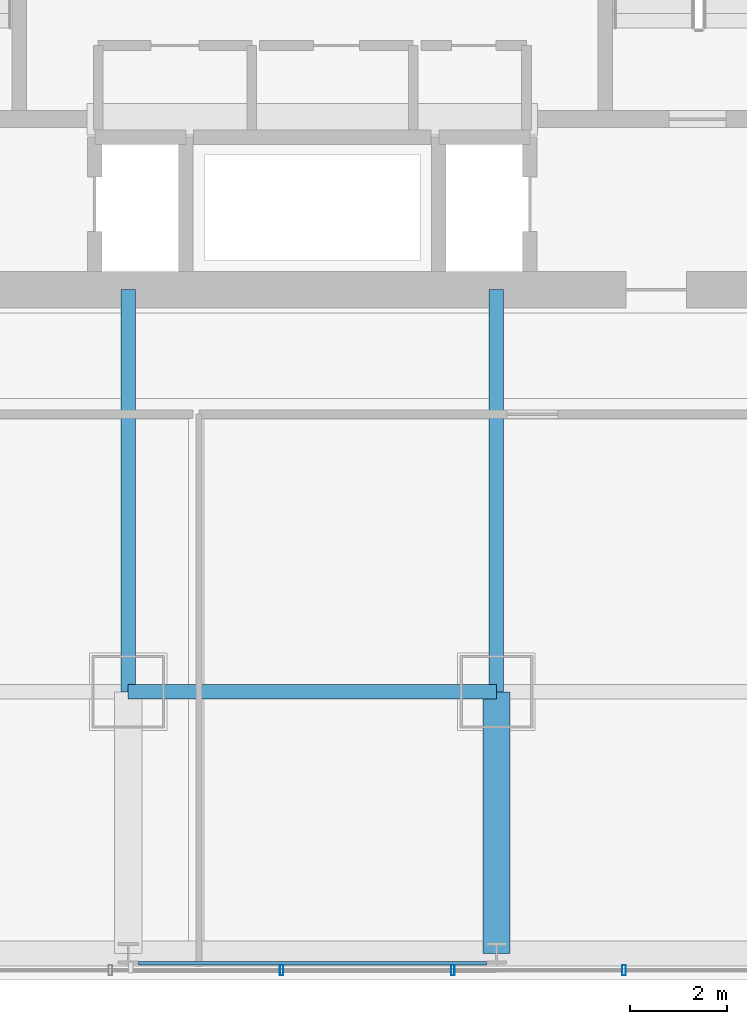
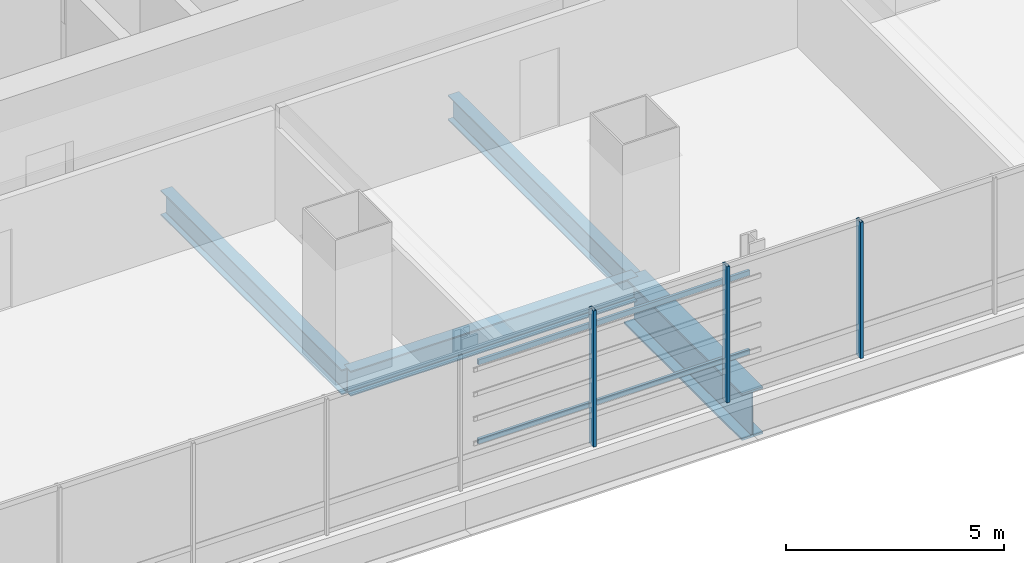
# One storey, part 8 of 36: 5 members, 4 beams, 1 element without a shape of its own.
"""IFC4 building model written with IfcOpenShell, lengths in metres."""

from ifc_helpers import new_model, si_unit, direction, frame, origin, origin_2d, place, context, subcontext, project, spatial, hollow_rectangle, i_section, extrude, material, material_profile, profile_set, type_object, element, aggregate, save


model = new_model("IFC4")

# Units and contexts
model_context = context("Model", 3, precision=1e-05, world=origin(), true_north=direction((0.0, 1.0)))
body_context = subcontext(model_context, "Body", "Model", "MODEL_VIEW")
ifc_project = project(units=[si_unit("LENGTHUNIT", "METRE"), si_unit("AREAUNIT", "SQUARE_METRE"), si_unit("VOLUMEUNIT", "CUBIC_METRE"), si_unit("PLANEANGLEUNIT", "RADIAN"), si_unit("MASSUNIT", "GRAM", prefix="KILO")], contexts=[model_context])

# Site, building, storey
site_placement = place(None, origin())
site = spatial("IfcSite", under=ifc_project, at=site_placement, CompositionType="ELEMENT")
building_placement = place(site_placement, origin())
building = spatial("IfcBuilding", under=site, at=building_placement, Name="Punatoya Terracotta Tower", CompositionType="ELEMENT")
storey_placement = place(building_placement, frame((0.0, 0.0, 36.300048828125)))
storey = spatial("IfcBuildingStorey", under=building, at=storey_placement, Name="L07", CompositionType="ELEMENT", Elevation=36.300048828125)

# Beams
ifc_material_1 = material(Name="Steel S355", Category="steel")
ifc_material_profile_1 = material_profile(ifc_material_1, i_section(OverallWidth=0.300048828125, OverallDepth=0.699951171875, WebThickness=0.01708984375, FlangeThickness=0.031982421875, FilletRadius=0.01806640625, at=origin_2d()))
ifc_profile_set_1 = profile_set([ifc_material_profile_1], Name="Steel S355")
beam_type_1 = type_object("IfcBeamType", Name="BM-PRI-700", PredefinedType="BEAM", material=ifc_profile_set_1)
beam_1_placement = place(storey_placement, frame((-3.800048828125, -17.5, -0.590087890625), z_axis=(1.0, 0.0, 0.0), x_axis=(0.0, 1.0, 0.0)))
element("IfcBeam", 1, at=beam_1_placement, inside=storey, type_object=beam_type_1, Name="BM-L07-RG-S2", PredefinedType="BEAM", context=body_context, shape_type="SweptSolid", body=[
    extrude(i_section(OverallWidth=0.300048828125, OverallDepth=0.699951171875, WebThickness=0.01708984375, FlangeThickness=0.031982421875, FilletRadius=0.01806640625, at=origin_2d()), origin(), (0.0, 0.0, 1.0), 7.60009765625),
])
for number, where, z_axis, x_axis, name in (
    (2, (-3.800048828125, -17.5, -0.590087890625), (0.0, 1.0, 0.0), (-1.0, 0.0, 0.0), "BM-L07-PR-S2"),
    (3, (3.800048828125, -17.5, -0.590087890625), (0.0, 1.0, 0.0), (-1.0, 0.0, 0.0), "BM-L07-PR-S3"),
):
    element("IfcBeam", number, at=place(storey_placement, frame(where, z_axis=z_axis, x_axis=x_axis)), inside=storey, type_object=beam_type_1, Name=name, PredefinedType="BEAM", context=body_context, shape_type="SweptSolid", body=[
        extrude(i_section(OverallWidth=0.300048828125, OverallDepth=0.699951171875, WebThickness=0.01708984375, FlangeThickness=0.031982421875, FilletRadius=0.01806640625, at=origin_2d()), origin(), (0.0, 0.0, 1.0), 8.300048828125),
    ])
ifc_material_2 = material(Name="Steel S460", Category="steel")
ifc_material_profile_2 = material_profile(ifc_material_2, i_section(OverallWidth=0.56005859375, OverallDepth=1.320068359375, WebThickness=0.035888671875, FlangeThickness=0.054931640625, FilletRadius=0.01806640625, at=origin_2d()))
ifc_profile_set_2 = profile_set([ifc_material_profile_2], Name="Steel S460")
beam_type_2 = type_object("IfcBeamType", Name="BM-TG-BLK", PredefinedType="BEAM", material=ifc_profile_set_2)
beam_2_placement = place(storey_placement, frame((3.800048828125, -22.89990234375, -0.900146484375), z_axis=(0.0, 1.0, 0.0), x_axis=(-1.0, 0.0, 0.0)))
element("IfcBeam", 4, at=beam_2_placement, inside=storey, type_object=beam_type_2, Name="BM-L07-CANT-S3", PredefinedType="BEAM", context=body_context, shape_type="SweptSolid", body=[
    extrude(i_section(OverallWidth=0.56005859375, OverallDepth=1.320068359375, WebThickness=0.035888671875, FlangeThickness=0.054931640625, FilletRadius=0.01806640625, at=origin_2d()), origin(), (0.0, 0.0, 1.0), 5.39990234375),
])

# Curtain wall, members
ifc_material_3 = material(Name="Aluminium 6063-T6 + Double Low-E Glass", Category="aluminium")
curtain_wall_type = type_object("IfcCurtainWallType", Name="CW-M1", PredefinedType="NOTDEFINED", material=ifc_material_3)
curtain_wall_placement = place(storey_placement, origin())
curtain_wall = element("IfcCurtainWall", 5, at=curtain_wall_placement, inside=storey, type_object=curtain_wall_type, Name="L07 Curtain Wall CW-L07-S01-1", PredefinedType="NOTDEFINED")
ifc_material_4 = material(Name="Aluminium 6063-T6", Category="aluminium")
ifc_material_profile_3 = material_profile(ifc_material_4, hollow_rectangle(XDim=0.074951171875, YDim=0.2099609375, WallThickness=0.00439453125, at=origin_2d()))
ifc_profile_set_3 = profile_set([ifc_material_profile_3], Name="Aluminium 6063-T6")
member_type_1 = type_object("IfcMemberType", Name="CW-MUL-M1", PredefinedType="MULLION", material=ifc_profile_set_3)
member_1_placement = place(storey_placement, frame((-0.633056640625, -23.25, 0.0), z_axis=(0.0, 0.0, 1.0), x_axis=(1.0, 0.0, 0.0)))
member_1 = element("IfcMember", 6, at=member_1_placement, type_object=member_type_1, Name="CW-L07-S01-1 Mullion 06", PredefinedType="MULLION", context=body_context, shape_type="SweptSolid", body=[
    extrude(hollow_rectangle(XDim=0.074951171875, YDim=0.2099609375, WallThickness=0.00439453125, at=origin_2d()), origin(), (0.0, 0.0, 1.0), 3.81005859375),
])
member_2_placement = place(storey_placement, frame((2.90087890625, -23.25, 0.0), z_axis=(0.0, 0.0, 1.0), x_axis=(1.0, 0.0, 0.0)))
member_2 = element("IfcMember", 7, at=member_2_placement, type_object=member_type_1, Name="CW-L07-S01-1 Mullion 07", PredefinedType="MULLION", context=body_context, shape_type="SweptSolid", body=[
    extrude(hollow_rectangle(XDim=0.074951171875, YDim=0.2099609375, WallThickness=0.00439453125, at=origin_2d()), origin(), (0.0, 0.0, 1.0), 3.81005859375),
])
member_3_placement = place(storey_placement, frame((6.43505859375, -23.25, 0.0), z_axis=(0.0, 0.0, 1.0), x_axis=(1.0, 0.0, 0.0)))
member_3 = element("IfcMember", 8, at=member_3_placement, type_object=member_type_1, Name="CW-L07-S01-1 Mullion 08", PredefinedType="MULLION", context=body_context, shape_type="SweptSolid", body=[
    extrude(hollow_rectangle(XDim=0.074951171875, YDim=0.2099609375, WallThickness=0.00439453125, at=origin_2d()), origin(), (0.0, 0.0, 1.0), 3.81005859375),
])
aggregate(curtain_wall, [member_1, member_2, member_3])

# Members
ifc_material_profile_4 = material_profile(ifc_material_1, hollow_rectangle(XDim=0.070068359375, YDim=0.139892578125, WallThickness=0.006103515625, at=origin_2d()))
ifc_profile_set_4 = profile_set([ifc_material_profile_4], Name="Steel S355")
member_type_2 = type_object("IfcMemberType", Name="MEM-BAG-RAIL", PredefinedType="USERDEFINED", material=ifc_profile_set_4)
for number, where, z_axis, x_axis, name in (
    (9, (-3.592529296875, -23.10498046875, 1.050048828125), (1.0, 0.0, 0.0), (0.0, 1.0, 0.0), "L07 Terracotta Baguette Carrier Rail BAG-L07-S-R1"),
    (10, (-3.592529296875, -23.10498046875, 3.260009765625), (1.0, 0.0, 0.0), (0.0, 1.0, 0.0), "L07 Terracotta Baguette Carrier Rail BAG-L07-S-R2"),
):
    element("IfcMember", number, at=place(storey_placement, frame(where, z_axis=z_axis, x_axis=x_axis)), inside=storey, type_object=member_type_2, Name=name, ObjectType="BAGUETTE", PredefinedType="USERDEFINED", context=body_context, shape_type="SweptSolid", body=[
        extrude(hollow_rectangle(XDim=0.070068359375, YDim=0.139892578125, WallThickness=0.006103515625, at=origin_2d()), origin(), (0.0, 0.0, 1.0), 7.18505859375),
    ])

save(model, "model.ifc")
